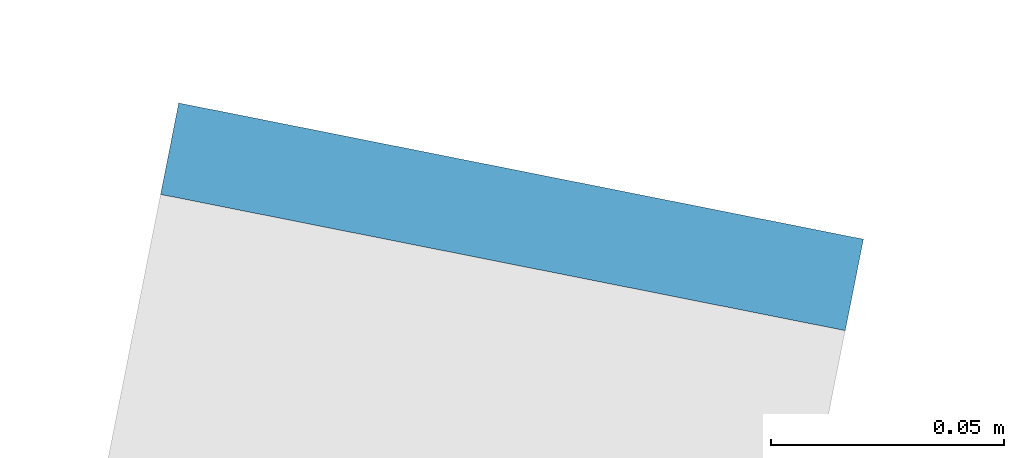
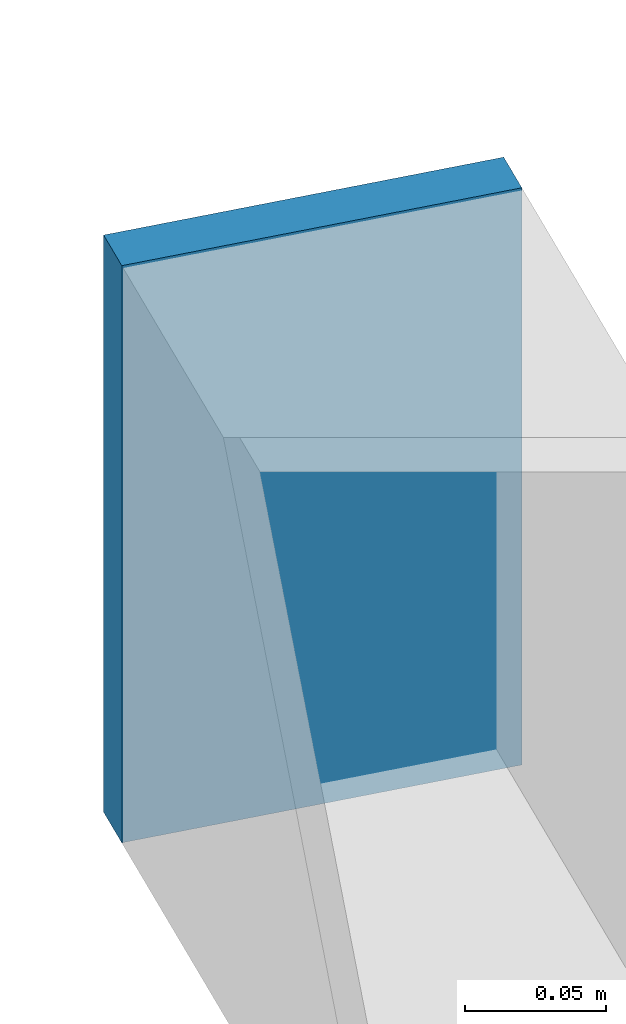
# One storey, part 24 of 30: 1 discrete accessory.
"""IFC4 building model written with IfcOpenShell, lengths in metres."""

from ifc_helpers import new_model, si_unit, direction, frame, origin, origin_2d, place, context, subcontext, project, spatial, rectangle, extrude, material, layer, layer_set, type_object, element, save


model = new_model("IFC4")

# Units and contexts
model_context = context("Model", 3, precision=1e-05, world=origin(), true_north=direction((0.0, 1.0)))
body_context = subcontext(model_context, "Body", "Model", "MODEL_VIEW")
ifc_project = project(units=[si_unit("LENGTHUNIT", "METRE"), si_unit("AREAUNIT", "SQUARE_METRE"), si_unit("VOLUMEUNIT", "CUBIC_METRE"), si_unit("PLANEANGLEUNIT", "RADIAN"), si_unit("MASSUNIT", "GRAM", prefix="KILO")], contexts=[model_context])

# Site, building, storey
site_placement = place(None, origin())
site = spatial("IfcSite", under=ifc_project, at=site_placement, CompositionType="ELEMENT")
building_placement = place(site_placement, origin())
building = spatial("IfcBuilding", under=site, at=building_placement, Name="Siwar Civic Tower", CompositionType="ELEMENT")
storey_placement = place(building_placement, frame((0.0, 0.0, 80.699951171875)))
storey = spatial("IfcBuildingStorey", under=building, at=storey_placement, Name="L17", CompositionType="ELEMENT", Elevation=80.699951171875)

# Discrete accessory
ifc_material = material(Name="Steel S355", Category="steel")
ifc_layer = layer(ifc_material, 0.02001953125)
ifc_layer_set = layer_set([ifc_layer], Name="Steel S355")
discrete_accessory_type = type_object("IfcDiscreteAccessoryType", Name="STR-END-CAP", PredefinedType="USERDEFINED", material=ifc_layer_set)
discrete_accessory_placement = place(storey_placement, frame((22.642578125, 33.3447265625, -0.39990234375), z_axis=(0.0, 0.0, 1.0), x_axis=(0.195090322119, 0.980785280383, 0.0)))
element("IfcDiscreteAccessory", 1, at=discrete_accessory_placement, inside=storey, type_object=discrete_accessory_type, Name="End cap plate Balcony cantilever beam NE 3", ObjectType="END CAP PLATE", PredefinedType="USERDEFINED", context=body_context, shape_type="SweptSolid", body=[
    extrude(rectangle(XDim=0.02001953125, YDim=0.14990234375, at=origin_2d()), origin(), (0.0, 0.0, 1.0), 0.25),
])

save(model, "model.ifc")
